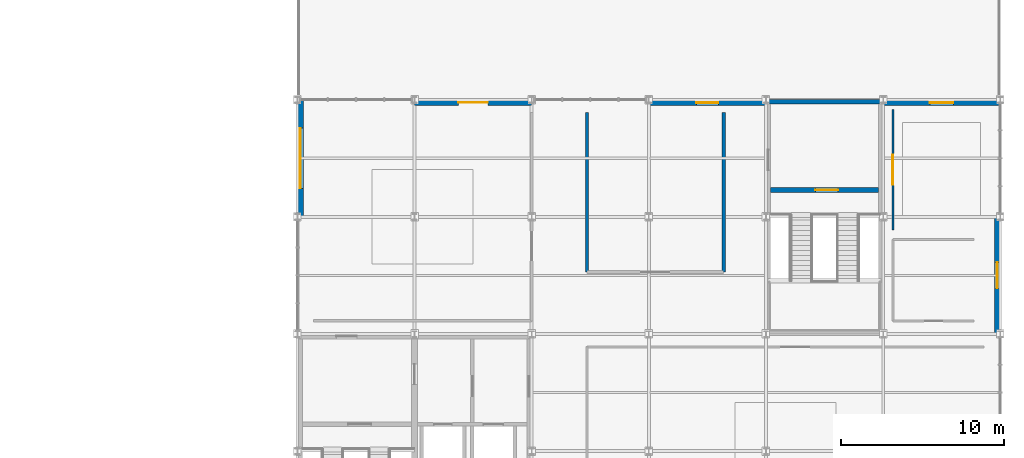
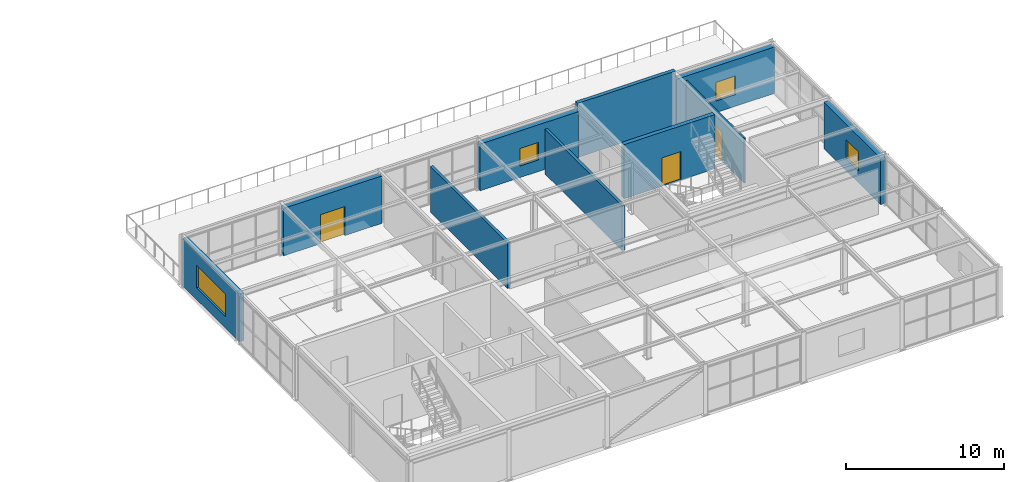
# One storey, part 25 of 30: 10 walls, 4 windows, 3 doors, 7 openings.
"""IFC4 building model written with IfcOpenShell, lengths in metres."""

from ifc_helpers import new_model, si_unit, direction, frame, frame_2d, origin, place, context, subcontext, project, spatial, rectangle, extrude, material, layer, layer_set, type_object, element, fill, save


model = new_model("IFC4")

# Units and contexts
model_context = context("Model", 3, precision=1e-05, world=origin(), true_north=direction((0.0, 1.0)))
body_context = subcontext(model_context, "Body", "Model", "MODEL_VIEW")
ifc_project = project(units=[si_unit("LENGTHUNIT", "METRE"), si_unit("AREAUNIT", "SQUARE_METRE"), si_unit("VOLUMEUNIT", "CUBIC_METRE"), si_unit("PLANEANGLEUNIT", "RADIAN"), si_unit("MASSUNIT", "GRAM", prefix="KILO")], contexts=[model_context])

# Site, building, storey
site_placement = place(None, origin())
site = spatial("IfcSite", under=ifc_project, at=site_placement, CompositionType="ELEMENT")
building_placement = place(site_placement, origin())
building = spatial("IfcBuilding", under=site, at=building_placement, Name="Leyfeld Transit Interchange", CompositionType="ELEMENT")
storey_placement = place(building_placement, frame((0.0, 0.0, 13.800048828125)))
storey = spatial("IfcBuildingStorey", under=building, at=storey_placement, Name="L03", CompositionType="ELEMENT", Elevation=13.800048828125)

# Wall, opening, window
ifc_material_1 = material(Name="Leitha limestone ashlar - Insulated", Category="masonry")
ifc_layer_1 = layer(ifc_material_1, 0.360107421875, Name="Leitha limestone ashlar - Insulated")
ifc_layer_set_1 = layer_set([ifc_layer_1], Name="Leitha limestone ashlar - Insulated")
wall_type_1 = type_object("IfcWallType", Name="WL-EXT-STN-360", PredefinedType="SOLIDWALL", material=ifc_layer_set_1)
wall_1_placement = place(storey_placement, frame((136.97998046875, 79.199951171875, 0.0), z_axis=(0.0, 0.0, 1.0), x_axis=(0.0, 1.0, 0.0)))
wall_1 = element("IfcWall", 1, at=wall_1_placement, inside=storey, type_object=wall_type_1, Name="External Facade Wall EW-L03-112", PredefinedType="SOLIDWALL", context=body_context, shape_type="SweptSolid", body=[
    extrude(rectangle(XDim=7.199951171875, YDim=0.360107421875, at=frame_2d((3.60009765625, 0.0))), origin(), (0.0, 0.0, 1.0), 3.679931640625),
])
opening_1_placement = place(wall_1_placement, frame((1.75, 0.0, 0.89990234375)))
opening_1 = element("IfcOpeningElement", 2, at=opening_1_placement, cuts=wall_1, Name="Opening WU-25", PredefinedType="OPENING", context=body_context, shape_type="SweptSolid", body=[
    extrude(rectangle(XDim=3.699951171875, YDim=1.75, at=frame_2d((1.85009765625, 0.875))), frame((0.0, 0.18994140625, 0.0), z_axis=(0.0, -1.0, 0.0), x_axis=(1.0, 0.0, 0.0)), (0.0, 0.0, 1.0), 0.380126953125),
])
ifc_material_2 = material(Name="Triple low-E insulated glazing", Category="glass")
window_type_1 = type_object("IfcWindowType", Name="WIN-UNQ-25", PartitioningType="SINGLE_PANEL", PredefinedType="WINDOW", material=ifc_material_2)
window_1_placement = place(opening_1_placement, origin())
window_1 = element("IfcWindow", 3, at=window_1_placement, inside=storey, type_object=window_type_1, Name="Facade Window L03 077", OverallHeight=1.75, OverallWidth=3.699951171875, PartitioningType="SINGLE_PANEL", PredefinedType="WINDOW", context=body_context, shape_type="SweptSolid", body=[
    extrude(rectangle(XDim=3.699951171875, YDim=1.75, at=frame_2d((1.85009765625, 0.875))), frame((0.0, 0.030029296875, 0.0), z_axis=(0.0, -1.0, 0.0), x_axis=(1.0, 0.0, 0.0)), (0.0, 0.0, 1.0), 0.06005859375),
])
fill(opening_1, window_1)

# Wall, opening, door
wall_2_placement = place(storey_placement, frame((144.0, 86.219970703125, 0.0), z_axis=(0.0, 0.0, 1.0), x_axis=(1.0, 0.0, 0.0)))
wall_2 = element("IfcWall", 4, at=wall_2_placement, inside=storey, type_object=wall_type_1, Name="External Facade Wall EW-L03-113", PredefinedType="SOLIDWALL", context=body_context, shape_type="SweptSolid", body=[
    extrude(rectangle(XDim=7.199951171875, YDim=0.360107421875, at=frame_2d((3.60009765625, 0.0))), origin(), (0.0, 0.0, 1.0), 3.679931640625),
])
opening_2_placement = place(wall_2_placement, frame((2.699951171875, 0.0, 0.0)))
opening_2 = element("IfcOpeningElement", 5, at=opening_2_placement, cuts=wall_2, Name="Opening DE-06", PredefinedType="OPENING", context=body_context, shape_type="SweptSolid", body=[
    extrude(rectangle(XDim=1.800048828125, YDim=2.25, at=frame_2d((0.89990234375, 1.125))), frame((0.0, 0.18994140625, 0.0), z_axis=(0.0, -1.0, 0.0), x_axis=(1.0, 0.0, 0.0)), (0.0, 0.0, 1.0), 0.380126953125),
])
ifc_material_3 = material(Name="Anodised aluminium EN AW-6060 T66", Category="aluminium")
door_type_1 = type_object("IfcDoorType", Name="DR-EXT-TER-1800x2250", OperationType="NOTDEFINED", PredefinedType="DOOR", material=ifc_material_3)
door_1_placement = place(opening_2_placement, origin())
door_1 = element("IfcDoor", 6, at=door_1_placement, inside=storey, type_object=door_type_1, Name="DR-TER-L03-022", OperationType="SINGLE_SWING_LEFT", OverallHeight=2.25, OverallWidth=1.800048828125, PredefinedType="DOOR", context=body_context, shape_type="SweptSolid", body=[
    extrude(rectangle(XDim=1.800048828125, YDim=2.25, at=frame_2d((0.89990234375, 1.125))), frame((0.0, 0.02490234375, 0.0), z_axis=(0.0, -1.0, 0.0), x_axis=(1.0, 0.0, 0.0)), (0.0, 0.0, 1.0), 0.050048828125),
])
fill(opening_2, door_1)

# Wall, opening, window
wall_3_placement = place(storey_placement, frame((158.39990234375, 86.219970703125, 0.0), z_axis=(0.0, 0.0, 1.0), x_axis=(1.0, 0.0, 0.0)))
wall_3 = element("IfcWall", 7, at=wall_3_placement, inside=storey, type_object=wall_type_1, Name="External Facade Wall EW-L03-114", PredefinedType="SOLIDWALL", context=body_context, shape_type="SweptSolid", body=[
    extrude(rectangle(XDim=7.2001953125, YDim=0.360107421875, at=frame_2d((3.60009765625, 0.0))), origin(), (0.0, 0.0, 1.0), 3.619873046875),
])
opening_3_placement = place(wall_3_placement, frame((2.925048828125, 0.0, 0.89990234375)))
opening_3 = element("IfcOpeningElement", 8, at=opening_3_placement, cuts=wall_3, Name="Opening WM-01", PredefinedType="OPENING", context=body_context, shape_type="SweptSolid", body=[
    extrude(rectangle(XDim=1.35009765625, YDim=1.35009765625, at=frame_2d((0.675048828125, 0.675048828125))), frame((0.0, 0.18994140625, 0.0), z_axis=(0.0, -1.0, 0.0), x_axis=(1.0, 0.0, 0.0)), (0.0, 0.0, 1.0), 0.380126953125),
])
window_type_2 = type_object("IfcWindowType", Name="WIN-MOD-01", PartitioningType="SINGLE_PANEL", PredefinedType="WINDOW", material=ifc_material_2)
window_2_placement = place(opening_3_placement, origin())
window_2 = element("IfcWindow", 9, at=window_2_placement, inside=storey, type_object=window_type_2, Name="Facade Window L03 078", OverallHeight=1.35009765625, OverallWidth=1.35009765625, PartitioningType="SINGLE_PANEL", PredefinedType="WINDOW", context=body_context, shape_type="SweptSolid", body=[
    extrude(rectangle(XDim=1.35009765625, YDim=1.35009765625, at=frame_2d((0.675048828125, 0.675048828125))), frame((0.0, 0.030029296875, 0.0), z_axis=(0.0, -1.0, 0.0), x_axis=(1.0, 0.0, 0.0)), (0.0, 0.0, 1.0), 0.06005859375),
])
fill(opening_3, window_2)

wall_4_placement = place(storey_placement, frame((172.800048828125, 86.219970703125, 0.0), z_axis=(0.0, 0.0, 1.0), x_axis=(1.0, 0.0, 0.0)))
wall_4 = element("IfcWall", 10, at=wall_4_placement, inside=storey, type_object=wall_type_1, Name="External Facade Wall EW-L03-115", PredefinedType="SOLIDWALL", context=body_context, shape_type="SweptSolid", body=[
    extrude(rectangle(XDim=7.199951171875, YDim=0.360107421875, at=frame_2d((3.60009765625, 0.0))), origin(), (0.0, 0.0, 1.0), 3.599853515625),
])
opening_4_placement = place(wall_4_placement, frame((2.875, 0.0, 0.89990234375)))
opening_4 = element("IfcOpeningElement", 11, at=opening_4_placement, cuts=wall_4, Name="Opening WM-02", PredefinedType="OPENING", context=body_context, shape_type="SweptSolid", body=[
    extrude(rectangle(XDim=1.449951171875, YDim=1.449951171875, at=frame_2d((0.72509765625, 0.72509765625))), frame((0.0, 0.18994140625, 0.0), z_axis=(0.0, -1.0, 0.0), x_axis=(1.0, 0.0, 0.0)), (0.0, 0.0, 1.0), 0.380126953125),
])
window_type_3 = type_object("IfcWindowType", Name="WIN-MOD-02", PartitioningType="SINGLE_PANEL", PredefinedType="WINDOW", material=ifc_material_2)
window_3_placement = place(opening_4_placement, origin())
window_3 = element("IfcWindow", 12, at=window_3_placement, inside=storey, type_object=window_type_3, Name="Facade Window L03 079", OverallHeight=1.449951171875, OverallWidth=1.449951171875, PartitioningType="SINGLE_PANEL", PredefinedType="WINDOW", context=body_context, shape_type="SweptSolid", body=[
    extrude(rectangle(XDim=1.449951171875, YDim=1.449951171875, at=frame_2d((0.72509765625, 0.72509765625))), frame((0.0, 0.030029296875, 0.0), z_axis=(0.0, -1.0, 0.0), x_axis=(1.0, 0.0, 0.0)), (0.0, 0.0, 1.0), 0.06005859375),
])
fill(opening_4, window_3)

wall_5_placement = place(storey_placement, frame((179.820068359375, 79.199951171875, 0.0), z_axis=(0.0, 0.0, 1.0), x_axis=(0.0, -1.0, 0.0)))
wall_5 = element("IfcWall", 13, at=wall_5_placement, inside=storey, type_object=wall_type_1, Name="External Facade Wall EW-L03-116", PredefinedType="SOLIDWALL", context=body_context, shape_type="SweptSolid", body=[
    extrude(rectangle(XDim=7.199951171875, YDim=0.360107421875, at=frame_2d((3.60009765625, 0.0))), origin(), (0.0, 0.0, 1.0), 3.599853515625),
])
opening_5_placement = place(wall_5_placement, frame((2.800048828125, 0.0, 0.89990234375)))
opening_5 = element("IfcOpeningElement", 14, at=opening_5_placement, cuts=wall_5, Name="Opening WM-03", PredefinedType="OPENING", context=body_context, shape_type="SweptSolid", body=[
    extrude(rectangle(XDim=1.60009765625, YDim=1.5, at=frame_2d((0.800048828125, 0.75))), frame((0.0, 0.18994140625, 0.0), z_axis=(0.0, -1.0, 0.0), x_axis=(1.0, 0.0, 0.0)), (0.0, 0.0, 1.0), 0.380126953125),
])
window_type_4 = type_object("IfcWindowType", Name="WIN-MOD-03", PartitioningType="SINGLE_PANEL", PredefinedType="WINDOW", material=ifc_material_2)
window_4_placement = place(opening_5_placement, origin())
window_4 = element("IfcWindow", 15, at=window_4_placement, inside=storey, type_object=window_type_4, Name="Facade Window L03 080", OverallHeight=1.5, OverallWidth=1.60009765625, PartitioningType="SINGLE_PANEL", PredefinedType="WINDOW", context=body_context, shape_type="SweptSolid", body=[
    extrude(rectangle(XDim=1.60009765625, YDim=1.5, at=frame_2d((0.800048828125, 0.75))), frame((0.0, 0.030029296875, 0.0), z_axis=(0.0, -1.0, 0.0), x_axis=(1.0, 0.0, 0.0)), (0.0, 0.0, 1.0), 0.06005859375),
])
fill(opening_5, window_4)

# Walls
ifc_material_4 = material(Name="Concrete C35/45", Category="concrete")
ifc_layer_2 = layer(ifc_material_4, 0.199951171875, Name="Concrete C35/45")
ifc_layer_set_2 = layer_set([ifc_layer_2], Name="Concrete C35/45")
wall_type_2 = type_object("IfcWallType", Name="WL-INT-FFL-200", PredefinedType="PARTITIONING", material=ifc_layer_set_2)
wall_6_placement = place(storey_placement, frame((163.0, 85.60009765625, 0.0), z_axis=(0.0, 0.0, 1.0), x_axis=(0.0, -1.0, 0.0)))
element("IfcWall", 16, at=wall_6_placement, inside=storey, type_object=wall_type_2, Name="Interior Partition L03-LAB-01 E", PredefinedType="PARTITIONING", context=body_context, shape_type="SweptSolid", body=[
    extrude(rectangle(XDim=9.800048828125, YDim=0.199951171875, at=frame_2d((4.89990234375, 0.0))), origin(), (0.0, 0.0, 1.0), 3.469970703125),
])
wall_7_placement = place(storey_placement, frame((154.60009765625, 75.800048828125, 0.0), z_axis=(0.0, 0.0, 1.0), x_axis=(0.0, 1.0, 0.0)))
element("IfcWall", 17, at=wall_7_placement, inside=storey, type_object=wall_type_2, Name="Interior Partition L03-LAB-01 W", PredefinedType="PARTITIONING", context=body_context, shape_type="SweptSolid", body=[
    extrude(rectangle(XDim=9.800048828125, YDim=0.199951171875, at=frame_2d((4.89990234375, 0.0))), origin(), (0.0, 0.0, 1.0), 3.530029296875),
])

# Wall, opening, door
ifc_material_5 = material(Name="Gypsum plasterboard acoustic stud", Category="gypsum")
ifc_layer_3 = layer(ifc_material_5, 0.114990234375, Name="Gypsum plasterboard acoustic stud")
ifc_layer_set_3 = layer_set([ifc_layer_3], Name="Gypsum plasterboard acoustic stud")
wall_type_3 = type_object("IfcWallType", Name="WL-INT-OFF-115", PredefinedType="PARTITIONING", material=ifc_layer_set_3)
wall_8_placement = place(storey_placement, frame((173.39990234375, 78.39990234375, 0.0), z_axis=(0.0, 0.0, 1.0), x_axis=(0.0, 1.0, 0.0)))
wall_8 = element("IfcWall", 18, at=wall_8_placement, inside=storey, type_object=wall_type_3, Name="Interior Partition L03-OFF-V4E W", PredefinedType="PARTITIONING", context=body_context, shape_type="SweptSolid", body=[
    extrude(rectangle(XDim=7.400146484375, YDim=0.114990234375, at=frame_2d((3.7001953125, 0.0))), origin(), (0.0, 0.0, 1.0), 3.449951171875),
])
opening_6_placement = place(wall_8_placement, frame((2.780029296875, 0.0, 0.0)))
opening_6 = element("IfcOpeningElement", 19, at=opening_6_placement, cuts=wall_8, Name="Opening DU-20", PredefinedType="OPENING", context=body_context, shape_type="SweptSolid", body=[
    extrude(rectangle(XDim=1.840087890625, YDim=2.239990234375, at=frame_2d((0.919921875, 1.1201171875))), frame((0.0, 0.0673828125, 0.0), z_axis=(0.0, -1.0, 0.0), x_axis=(1.0, 0.0, 0.0)), (0.0, 0.0, 1.0), 0.135009765625),
])
ifc_material_6 = material(Name="Austrian larch glulam GL28h", Category="wood")
door_type_2 = type_object("IfcDoorType", Name="DR-UNQ-20", OperationType="NOTDEFINED", PredefinedType="DOOR", material=ifc_material_6)
door_2_placement = place(opening_6_placement, origin())
door_2 = element("IfcDoor", 20, at=door_2_placement, inside=storey, type_object=door_type_2, Name="DR-L03-OFF-V4E", OperationType="DOUBLE_DOOR_SINGLE_SWING", OverallHeight=2.239990234375, OverallWidth=1.840087890625, PredefinedType="DOOR", context=body_context, shape_type="SweptSolid", body=[
    extrude(rectangle(XDim=1.840087890625, YDim=2.239990234375, at=frame_2d((0.919921875, 1.1201171875))), frame((0.0, 0.02490234375, 0.0), z_axis=(0.0, -1.0, 0.0), x_axis=(1.0, 0.0, 0.0)), (0.0, 0.0, 1.0), 0.050048828125),
])
fill(opening_6, door_2)

ifc_layer_4 = layer(ifc_material_4, 0.300048828125, Name="Concrete C35/45")
ifc_layer_set_4 = layer_set([ifc_layer_4], Name="Concrete C35/45")
wall_type_4 = type_object("IfcWallType", Name="WL-SH-300", PredefinedType="SHEAR", material=ifc_layer_set_4)
wall_9_placement = place(storey_placement, frame((165.8701171875, 80.85009765625, 0.0), z_axis=(0.0, 0.0, 1.0), x_axis=(1.0, 0.0, 0.0)))
wall_9 = element("IfcWall", 21, at=wall_9_placement, inside=storey, type_object=wall_type_4, Name="Core K5 Shear Wall STRN L03", PredefinedType="SHEAR", context=body_context, shape_type="SweptSolid", body=[
    extrude(rectangle(XDim=6.659912109375, YDim=0.300048828125, at=frame_2d((3.330078125, 0.0))), origin(), (0.0, 0.0, 1.0), 4.199951171875),
])
opening_7_placement = place(wall_9_placement, frame((2.764892578125, 0.0, 0.0)))
opening_7 = element("IfcOpeningElement", 22, at=opening_7_placement, cuts=wall_9, Name="Opening DI-01", PredefinedType="OPENING", context=body_context, shape_type="SweptSolid", body=[
    extrude(rectangle(XDim=1.39990234375, YDim=2.199951171875, at=frame_2d((0.699951171875, 1.10009765625))), frame((0.0, 0.159912109375, 0.0), z_axis=(0.0, -1.0, 0.0), x_axis=(1.0, 0.0, 0.0)), (0.0, 0.0, 1.0), 0.320068359375),
])
ifc_material_7 = material(Name="Galvanised steel S275JR", Category="steel")
door_type_3 = type_object("IfcDoorType", Name="DR-STR-1400x2200", OperationType="NOTDEFINED", PredefinedType="DOOR", material=ifc_material_7)
door_3_placement = place(opening_7_placement, origin())
door_3 = element("IfcDoor", 23, at=door_3_placement, inside=storey, type_object=door_type_3, Name="DR-STR-INT-K5-L03", OperationType="SINGLE_SWING_LEFT", OverallHeight=2.199951171875, OverallWidth=1.39990234375, PredefinedType="DOOR", context=body_context, shape_type="SweptSolid", body=[
    extrude(rectangle(XDim=1.39990234375, YDim=2.199951171875, at=frame_2d((0.699951171875, 1.10009765625))), frame((0.0, 0.02490234375, 0.0), z_axis=(0.0, -1.0, 0.0), x_axis=(1.0, 0.0, 0.0)), (0.0, 0.0, 1.0), 0.050048828125),
])
fill(opening_7, door_3)

# Wall
ifc_layer_5 = layer(ifc_material_4, 0.27001953125, Name="Concrete C35/45")
ifc_layer_set_5 = layer_set([ifc_layer_5], Name="Concrete C35/45")
wall_type_5 = type_object("IfcWallType", Name="WL-SH-VAR-270", PredefinedType="SHEAR", material=ifc_layer_set_5)
wall_10_placement = place(storey_placement, frame((165.60009765625, 86.264892578125, 0.0), z_axis=(0.0, 0.0, 1.0), x_axis=(1.0, 0.0, 0.0)))
element("IfcWall", 24, at=wall_10_placement, inside=storey, type_object=wall_type_5, Name="Core K5 Shear Wall N L03", PredefinedType="SHEAR", context=body_context, shape_type="SweptSolid", body=[
    extrude(rectangle(XDim=7.199951171875, YDim=0.27001953125, at=frame_2d((3.60009765625, 0.0))), origin(), (0.0, 0.0, 1.0), 4.199951171875),
])

save(model, "model.ifc")
